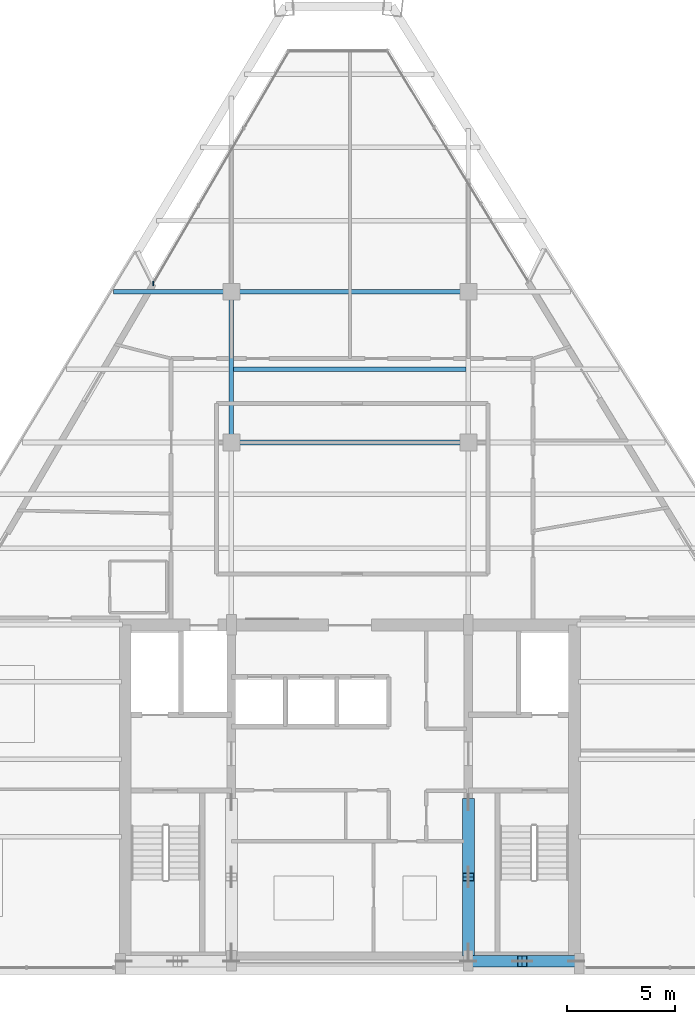
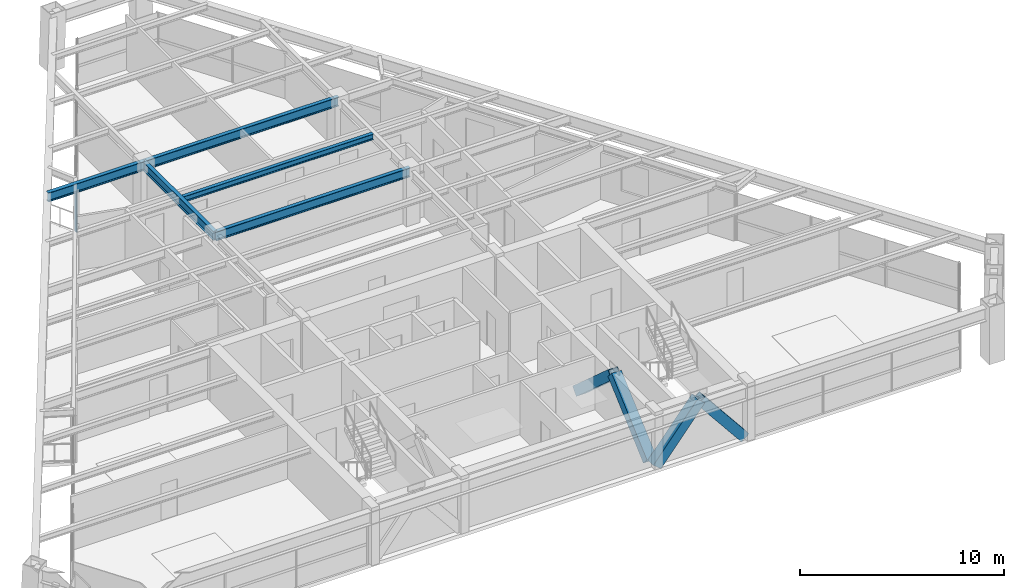
# One storey, part 4 of 13: 6 members, 5 beams, 1 element without a shape of its own.
"""IFC4 building model written with IfcOpenShell, lengths in metres."""

from ifc_helpers import new_model, si_unit, direction, frame, origin, origin_2d, place, context, subcontext, project, spatial, rectangle, hollow_rectangle, i_section, extrude, source, transform, mapped, material, material_profile, profile_set, type_object, type_shapes, element, aggregate, save


model = new_model("IFC4")

# Units and contexts
model_context = context("Model", 3, precision=1e-05, world=origin(), true_north=direction((0.0, 1.0)))
body_context = subcontext(model_context, "Body", "Model", "MODEL_VIEW")
ifc_project = project(units=[si_unit("LENGTHUNIT", "METRE"), si_unit("AREAUNIT", "SQUARE_METRE"), si_unit("VOLUMEUNIT", "CUBIC_METRE"), si_unit("PLANEANGLEUNIT", "RADIAN"), si_unit("MASSUNIT", "GRAM", prefix="KILO")], contexts=[model_context])

# Site, building, storey
site_placement = place(None, origin())
site = spatial("IfcSite", under=ifc_project, at=site_placement, CompositionType="ELEMENT")
building_placement = place(site_placement, origin())
building = spatial("IfcBuilding", under=site, at=building_placement, Name="Varnakhor Terracotta Tower", CompositionType="ELEMENT")
storey_placement = place(building_placement, frame((0.0, 0.0, 251.050048828125)))
storey = spatial("IfcBuildingStorey", under=building, at=storey_placement, Name="L65", CompositionType="ELEMENT", Elevation=251.050048828125)

# Beams
ifc_material_1 = material(Name="Steel S355", Category="steel")
ifc_material_profile_1 = material_profile(ifc_material_1, i_section(OverallWidth=0.214111328125, OverallDepth=0.549072265625, WebThickness=0.014892578125, FlangeThickness=0.02392578125, FilletRadius=0.01806640625, at=origin_2d()), Name="W21X93")
ifc_profile_set_1 = profile_set([ifc_material_profile_1], Name="Steel S355")
beam_type_1 = type_object("IfcBeamType", Name="BM-W21X93", PredefinedType="BEAM", material=ifc_profile_set_1)
shared_shape_1 = source(origin(), body_context, "Body", "SweptSolid", [
    extrude(i_section(OverallWidth=0.214111328125, OverallDepth=0.549072265625, WebThickness=0.014892578125, FlangeThickness=0.02392578125, FilletRadius=0.01806640625, at=origin_2d()), origin(), (0.0, 0.0, 1.0), 7.0),
])
beam_1_placement = place(storey_placement, frame((-5.5, 24.5, 2.96533203125), z_axis=(0.0, 1.0, 0.0), x_axis=(-1.0, 0.0, 0.0)))
element("IfcBeam", 1, at=beam_1_placement, inside=storey, type_object=beam_type_1, Name="L65 Primary Girder NS2-W", PredefinedType="BEAM", context=body_context, shape_type="MappedRepresentation", body=[
    mapped(shared_shape_1, transform((0.0, 0.0, 0.0), scale=1.0)),
])
shared_shape_2 = source(origin(), body_context, "Body", "SweptSolid", [
    extrude(i_section(OverallWidth=0.214111328125, OverallDepth=0.549072265625, WebThickness=0.014892578125, FlangeThickness=0.02392578125, FilletRadius=0.01806640625, at=origin_2d()), origin(), (0.0, 0.0, 1.0), 11.0),
])
for number, where, z_axis, x_axis, name in (
    (2, (-5.5, 24.5, 2.96533203125), (1.0, 0.0, 0.0), (0.0, 1.0, 0.0), "L65 Primary Girder EW2-2"),
    (3, (-5.5, 31.5, 2.96533203125), (1.0, 0.0, 0.0), (0.0, 1.0, 0.0), "L65 Primary Girder EW3-2"),
):
    element("IfcBeam", number, at=place(storey_placement, frame(where, z_axis=z_axis, x_axis=x_axis)), inside=storey, type_object=beam_type_1, Name=name, PredefinedType="BEAM", context=body_context, shape_type="MappedRepresentation", body=[
        mapped(shared_shape_2, transform((0.0, 0.0, 0.0), scale=1.0)),
    ])
ifc_material_profile_2 = material_profile(ifc_material_1, i_section(OverallWidth=0.202880859375, OverallDepth=0.346923828125, WebThickness=0.0078125, FlangeThickness=0.013427734375, FilletRadius=0.01806640625, at=origin_2d()), Name="W14X43")
ifc_profile_set_2 = profile_set([ifc_material_profile_2], Name="Steel S355")
beam_type_2 = type_object("IfcBeamType", Name="JST-W14X43", PredefinedType="JOIST", material=ifc_profile_set_2)
shared_shape_3 = source(origin(), body_context, "Body", "SweptSolid", [
    extrude(i_section(OverallWidth=0.202880859375, OverallDepth=0.346923828125, WebThickness=0.0078125, FlangeThickness=0.013427734375, FilletRadius=0.01806640625, at=origin_2d()), origin(), (0.0, 0.0, 1.0), 10.7939453125),
])
beam_2_placement = place(storey_placement, frame((-5.39697265625, 27.89990234375, 3.06640625), z_axis=(1.0, 0.0, 0.0), x_axis=(0.0, 1.0, 0.0)))
element("IfcBeam", 4, at=beam_2_placement, inside=storey, type_object=beam_type_2, Name="L65 Composite Floor Joist 6-2", PredefinedType="JOIST", context=body_context, shape_type="MappedRepresentation", body=[
    mapped(shared_shape_3, transform((0.0, 0.0, 0.0), scale=1.0)),
])

# Members
ifc_material_profile_3 = material_profile(ifc_material_1, hollow_rectangle(XDim=0.550048828125, YDim=0.550048828125, WallThickness=0.034912109375, at=origin_2d()), Name="HSS550X550X35")
ifc_profile_set_3 = profile_set([ifc_material_profile_3], Name="Steel S355")
member_type_1 = type_object("IfcMemberType", Name="MBR-MEGA-550", PredefinedType="BRACE", material=ifc_profile_set_3)
shared_shape_4 = source(origin(), body_context, "Body", "SweptSolid", [
    extrude(hollow_rectangle(XDim=0.550048828125, YDim=0.550048828125, WallThickness=0.034912109375, at=origin_2d()), origin(), (0.0, 0.0, 1.0), 4.650146484375),
])
member_1_placement = place(storey_placement, frame((5.5, 7.800048828125, 0.0), z_axis=(0.0, -0.747316617832, 0.664468112638), x_axis=(1.0, 0.0, 0.0)))
element("IfcMember", 5, at=member_1_placement, inside=storey, type_object=member_type_1, Name="L65 Core Coupled Brace CWEB", PredefinedType="BRACE", context=body_context, shape_type="MappedRepresentation", body=[
    mapped(shared_shape_4, transform((0.0, 0.0, 0.0), scale=1.0)),
])
shared_shape_5 = source(origin(), body_context, "Body", "SweptSolid", [
    extrude(hollow_rectangle(XDim=0.550048828125, YDim=0.550048828125, WallThickness=0.034912109375, at=origin_2d()), origin(), (0.0, 0.0, 1.0), 3.974609375),
])
for number, where, z_axis, x_axis, name in (
    (6, (5.5, 0.419921875, 0.0), (0.629000299358, 0.0, 0.777405057488), (0.0, 1.0, 0.0), "L65 Core Coupled Brace CSEA"),
    (7, (10.5, 0.419921875, 0.0), (-0.629000299358, 0.0, 0.777405057488), (0.0, -1.0, 0.0), "L65 Core Coupled Brace CSEB"),
):
    element("IfcMember", number, at=place(storey_placement, frame(where, z_axis=z_axis, x_axis=x_axis)), inside=storey, type_object=member_type_1, Name=name, PredefinedType="BRACE", context=body_context, shape_type="MappedRepresentation", body=[
        mapped(shared_shape_5, transform((0.0, 0.0, 0.0), scale=1.0)),
    ])
shared_shape_6 = source(origin(), body_context, "Body", "SweptSolid", [
    extrude(hollow_rectangle(XDim=0.550048828125, YDim=0.550048828125, WallThickness=0.034912109375, at=origin_2d()), origin(), (0.0, 0.0, 1.0), 4.64990234375),
])
member_2_placement = place(storey_placement, frame((5.5, 0.85009765625, 0.0), z_axis=(0.0, 0.747293435799, 0.664494184182), x_axis=(-1.0, 0.0, 0.0)))
element("IfcMember", 8, at=member_2_placement, inside=storey, type_object=member_type_1, Name="L65 Core Coupled Brace CWEA", PredefinedType="BRACE", context=body_context, shape_type="MappedRepresentation", body=[
    mapped(shared_shape_6, transform((0.0, 0.0, 0.0), scale=1.0)),
])

# Beam
shared_shape_7 = source(origin(), body_context, "Body", "SweptSolid", [
    extrude(i_section(OverallWidth=0.214111328125, OverallDepth=0.549072265625, WebThickness=0.014892578125, FlangeThickness=0.02392578125, FilletRadius=0.01806640625, at=origin_2d()), origin(), (0.0, 0.0, 1.0), 5.4755859375),
])
beam_3_placement = place(storey_placement, frame((-10.9755859375, 31.5, 2.96533203125), z_axis=(1.0, 0.0, 0.0), x_axis=(0.0, 1.0, 0.0)))
element("IfcBeam", 9, at=beam_3_placement, inside=storey, type_object=beam_type_1, Name="L65 Primary Girder EW3-1", PredefinedType="BEAM", context=body_context, shape_type="MappedRepresentation", body=[
    mapped(shared_shape_7, transform((0.0, 0.0, 0.0), scale=1.0)),
])

# Curtain wall, members
ifc_material_2 = material(Name="Anodised Aluminium Curtain Wall System", Category="aluminium")
curtain_wall_type = type_object("IfcCurtainWallType", Name="CW-SYS-HOTEL-LOGGIA", PredefinedType="NOTDEFINED", material=ifc_material_2)
curtain_wall_placement = place(storey_placement, origin())
curtain_wall = element("IfcCurtainWall", 10, at=curtain_wall_placement, inside=storey, type_object=curtain_wall_type, Name="L65 W Facet Curtain Wall 2", PredefinedType="NOTDEFINED")
ifc_material_3 = material(Name="Anodised Aluminium 6063-T6", Category="aluminium")
ifc_material_profile_4 = material_profile(ifc_material_3, rectangle(XDim=0.06494140625, YDim=0.159912109375, at=origin_2d()), Name="ALU MULLION 65x160")
ifc_profile_set_4 = profile_set([ifc_material_profile_4], Name="Anodised Aluminium 6063-T6")
member_type_2 = type_object("IfcMemberType", Name="CWM-04", PredefinedType="MULLION", material=ifc_profile_set_4)
shared_shape_8 = source(origin(), body_context, "Body", "SweptSolid", [
    extrude(rectangle(XDim=0.06494140625, YDim=0.159912109375, at=origin_2d()), origin(), (0.0, 0.0, 1.0), 2.820068359375),
])
type_shapes(member_type_2, [shared_shape_8])
member_3_placement = place(storey_placement, frame((-9.1279296875, 31.895263671875, 0.0), z_axis=(0.0, 0.0, 1.0), x_axis=(1.0, 0.0, 0.0)))
member_3 = element("IfcMember", 11, at=member_3_placement, type_object=member_type_2, Name="L65 W Facet Curtain Wall 2 Mullion 1", PredefinedType="MULLION", context=body_context, shape_type="MappedRepresentation", body=[
    mapped(shared_shape_8, transform((0.0, 0.0, 0.0), scale=1.0)),
])
member_4_placement = place(storey_placement, frame((-9.1259765625, 31.859375, 0.0), z_axis=(0.0, 0.0, 1.0), x_axis=(1.0, 0.0, 0.0)))
member_4 = element("IfcMember", 12, at=member_4_placement, type_object=member_type_2, Name="L65 W Loggia Jamb Closure Mullion 2", PredefinedType="MULLION", context=body_context, shape_type="MappedRepresentation", body=[
    mapped(shared_shape_8, transform((0.0, 0.0, 0.0), scale=1.0)),
])
aggregate(curtain_wall, [member_3, member_4])

save(model, "model.ifc")
